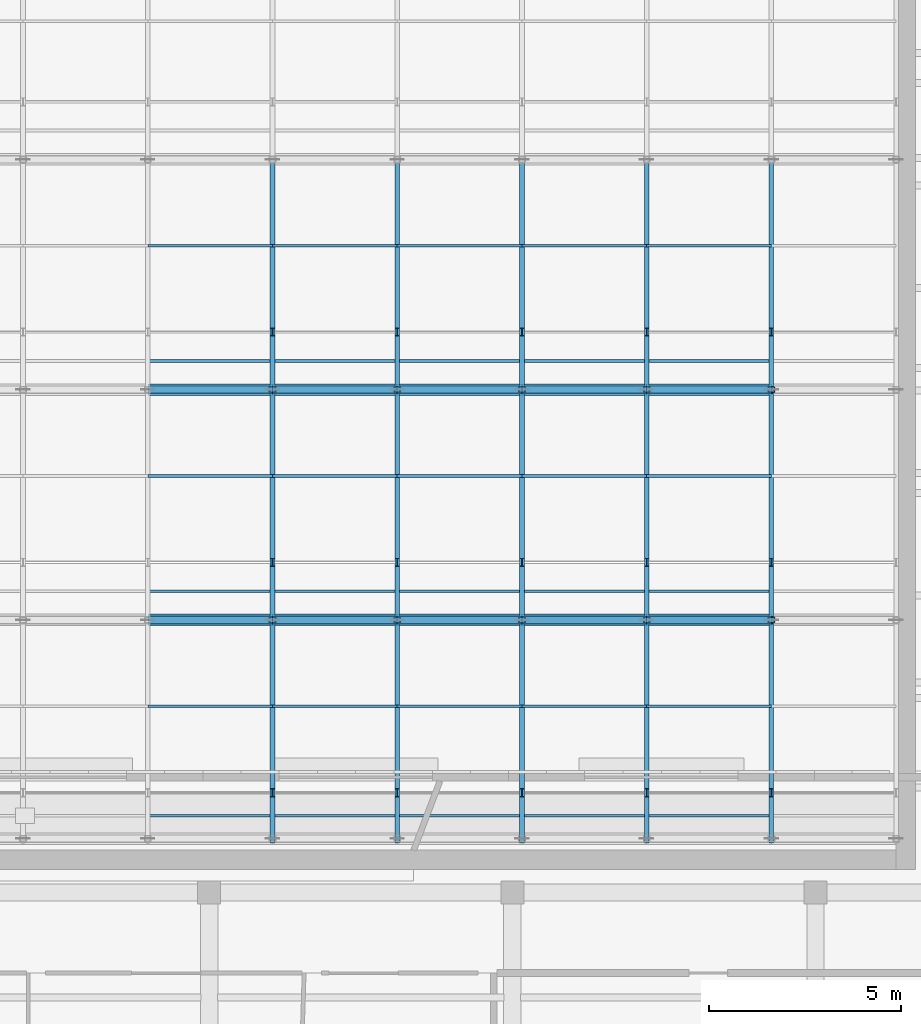
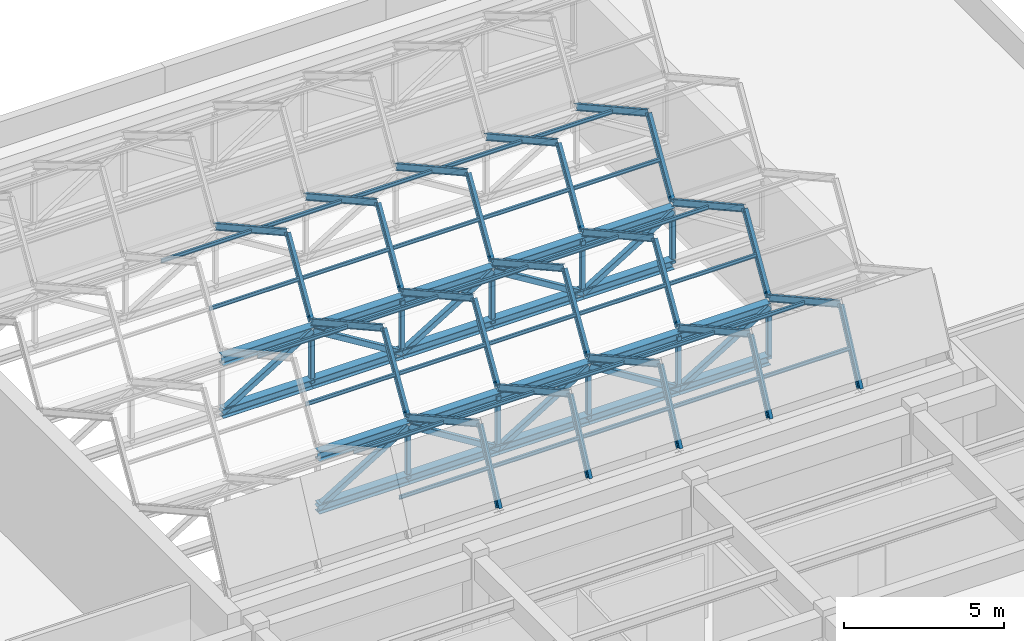
# One storey, part 52 of 132: 100 members.
"""IFC4 building model written with IfcOpenShell, lengths in metres."""

from ifc_helpers import new_model, si_unit, direction, frame, origin, origin_2d, place, context, subcontext, project, spatial, hollow_rectangle, i_section, extrude, material, material_profile, profile_set, type_object, element, save


model = new_model("IFC4")

# Units and contexts
model_context = context("Model", 3, precision=1e-05, world=origin(), true_north=direction((0.0, 1.0)))
body_context = subcontext(model_context, "Body", "Model", "MODEL_VIEW")
ifc_project = project(units=[si_unit("LENGTHUNIT", "METRE"), si_unit("AREAUNIT", "SQUARE_METRE"), si_unit("VOLUMEUNIT", "CUBIC_METRE"), si_unit("PLANEANGLEUNIT", "RADIAN"), si_unit("MASSUNIT", "GRAM", prefix="KILO")], contexts=[model_context])

# Site, building, storey
site_placement = place(None, origin())
site = spatial("IfcSite", under=ifc_project, at=site_placement, CompositionType="ELEMENT")
building_placement = place(site_placement, origin())
building = spatial("IfcBuilding", under=site, at=building_placement, Name="Lunette Opera House", CompositionType="ELEMENT")
storey_placement = place(building_placement, frame((0.0, 0.0, 17.0)))
storey = spatial("IfcBuildingStorey", under=building, at=storey_placement, Name="L03", CompositionType="ELEMENT", Elevation=17.0)

# Members
ifc_material_1 = material(Name="Steel S355", Category="steel")
ifc_material_profile_1 = material_profile(ifc_material_1, i_section(OverallWidth=0.300048828125, OverallDepth=0.35009765625, WebThickness=0.010009765625, FlangeThickness=0.017578125, FilletRadius=0.027099609375, at=origin_2d()), Name="HEA 360")
ifc_profile_set_1 = profile_set([ifc_material_profile_1], Name="Steel S355")
member_type_1 = type_object("IfcMemberType", Name="CHORD HEA 360", PredefinedType="CHORD", material=ifc_profile_set_1)
for number, where, z_axis, x_axis, name in (
    (1, (150.5, 110.0, 5.205078125), (1.0, 0.0, 0.0), (0.0, 1.0, 0.0), "mem-WW-L03-WW-TR02-TC3"),
    (2, (150.5, 110.0, 3.205078125), (1.0, 0.0, 0.0), (0.0, 1.0, 0.0), "mem-WW-L03-WW-TR02-BC3"),
    (3, (153.75, 110.0, 5.205078125), (1.0, 0.0, 0.0), (0.0, 1.0, 0.0), "mem-WW-L03-WW-TR02-TC4"),
    (4, (153.75, 110.0, 3.205078125), (1.0, 0.0, 0.0), (0.0, 1.0, 0.0), "mem-WW-L03-WW-TR02-BC4"),
    (5, (157.0, 110.0, 5.205078125), (1.0, 0.0, 0.0), (0.0, 1.0, 0.0), "mem-WW-L03-WW-TR02-TC5"),
    (6, (157.0, 110.0, 3.205078125), (1.0, 0.0, 0.0), (0.0, 1.0, 0.0), "mem-WW-L03-WW-TR02-BC5"),
    (7, (160.25, 110.0, 5.205078125), (1.0, 0.0, 0.0), (0.0, 1.0, 0.0), "mem-WW-L03-WW-TR02-TC6"),
    (8, (160.25, 110.0, 3.205078125), (1.0, 0.0, 0.0), (0.0, 1.0, 0.0), "mem-WW-L03-WW-TR02-BC6"),
    (9, (163.5, 110.0, 5.205078125), (1.0, 0.0, 0.0), (0.0, 1.0, 0.0), "mem-WW-L03-WW-TR02-TC7"),
    (10, (163.5, 110.0, 3.205078125), (1.0, 0.0, 0.0), (0.0, 1.0, 0.0), "mem-WW-L03-WW-TR02-BC7"),
    (11, (150.5, 116.0, 5.205078125), (1.0, 0.0, 0.0), (0.0, 1.0, 0.0), "mem-WW-L03-WW-TR03-TC3"),
    (12, (150.5, 116.0, 3.205078125), (1.0, 0.0, 0.0), (0.0, 1.0, 0.0), "mem-WW-L03-WW-TR03-BC3"),
    (13, (153.75, 116.0, 5.205078125), (1.0, 0.0, 0.0), (0.0, 1.0, 0.0), "mem-WW-L03-WW-TR03-TC4"),
    (14, (153.75, 116.0, 3.205078125), (1.0, 0.0, 0.0), (0.0, 1.0, 0.0), "mem-WW-L03-WW-TR03-BC4"),
    (15, (157.0, 116.0, 5.205078125), (1.0, 0.0, 0.0), (0.0, 1.0, 0.0), "mem-WW-L03-WW-TR03-TC5"),
    (16, (157.0, 116.0, 3.205078125), (1.0, 0.0, 0.0), (0.0, 1.0, 0.0), "mem-WW-L03-WW-TR03-BC5"),
    (17, (160.25, 116.0, 5.205078125), (1.0, 0.0, 0.0), (0.0, 1.0, 0.0), "mem-WW-L03-WW-TR03-TC6"),
    (18, (160.25, 116.0, 3.205078125), (1.0, 0.0, 0.0), (0.0, 1.0, 0.0), "mem-WW-L03-WW-TR03-BC6"),
    (19, (163.5, 116.0, 5.205078125), (1.0, 0.0, 0.0), (0.0, 1.0, 0.0), "mem-WW-L03-WW-TR03-TC7"),
    (20, (163.5, 116.0, 3.205078125), (1.0, 0.0, 0.0), (0.0, 1.0, 0.0), "mem-WW-L03-WW-TR03-BC7"),
):
    element("IfcMember", number, at=place(storey_placement, frame(where, z_axis=z_axis, x_axis=x_axis)), inside=storey, type_object=member_type_1, Name=name, PredefinedType="CHORD", context=body_context, shape_type="SweptSolid", body=[
        extrude(i_section(OverallWidth=0.300048828125, OverallDepth=0.35009765625, WebThickness=0.010009765625, FlangeThickness=0.017578125, FilletRadius=0.027099609375, at=origin_2d()), origin(), (0.0, 0.0, 1.0), 3.25),
    ])
ifc_material_2 = material(Name="Steel S355", Category="steel")
ifc_material_profile_2 = material_profile(ifc_material_2, hollow_rectangle(XDim=0.199951171875, YDim=0.199951171875, WallThickness=0.008056640625, InnerFilletRadius=0.008056640625, OuterFilletRadius=0.01611328125, at=origin_2d()), Name="RHS 200X200X8")
ifc_profile_set_2 = profile_set([ifc_material_profile_2], Name="Steel S355")
member_type_2 = type_object("IfcMemberType", Name="DIAGONAL RHS 200X200X8", PredefinedType="BRACE", material=ifc_profile_set_2)
for number, where, z_axis, x_axis, name in (
    (21, (150.5, 110.0, 3.205078125), (0.851658316705, 0.0, 0.524097425664), (0.0, 1.0, 0.0), "mem-WW-L03-WW-TR02-TD3"),
    (22, (153.75, 110.0, 5.205078125), (0.851658316705, 0.0, -0.524097425664), (0.0, 1.0, 0.0), "mem-WW-L03-WW-TR02-TD4"),
    (23, (157.0, 110.0, 3.205078125), (0.851658316705, 0.0, 0.524097425664), (0.0, 1.0, 0.0), "mem-WW-L03-WW-TR02-TD5"),
    (24, (160.25, 110.0, 5.205078125), (0.851658316705, 0.0, -0.524097425664), (0.0, 1.0, 0.0), "mem-WW-L03-WW-TR02-TD6"),
    (25, (163.5, 110.0, 3.205078125), (0.851658316705, 0.0, 0.524097425664), (0.0, 1.0, 0.0), "mem-WW-L03-WW-TR02-TD7"),
    (26, (150.5, 116.0, 3.205078125), (0.851658316705, 0.0, 0.524097425664), (0.0, 1.0, 0.0), "mem-WW-L03-WW-TR03-TD3"),
    (27, (153.75, 116.0, 5.205078125), (0.851658316705, 0.0, -0.524097425664), (0.0, 1.0, 0.0), "mem-WW-L03-WW-TR03-TD4"),
    (28, (157.0, 116.0, 3.205078125), (0.851658316705, 0.0, 0.524097425664), (0.0, 1.0, 0.0), "mem-WW-L03-WW-TR03-TD5"),
    (29, (160.25, 116.0, 5.205078125), (0.851658316705, 0.0, -0.524097425664), (0.0, 1.0, 0.0), "mem-WW-L03-WW-TR03-TD6"),
    (30, (163.5, 116.0, 3.205078125), (0.851658316705, 0.0, 0.524097425664), (0.0, 1.0, 0.0), "mem-WW-L03-WW-TR03-TD7"),
):
    element("IfcMember", number, at=place(storey_placement, frame(where, z_axis=z_axis, x_axis=x_axis)), inside=storey, type_object=member_type_2, Name=name, PredefinedType="BRACE", context=body_context, shape_type="SweptSolid", body=[
        extrude(hollow_rectangle(XDim=0.199951171875, YDim=0.199951171875, WallThickness=0.008056640625, InnerFilletRadius=0.008056640625, OuterFilletRadius=0.01611328125, at=origin_2d()), origin(), (0.0, 0.0, 1.0), 3.816162109375),
    ])
ifc_material_3 = material(Name="Steel S355", Category="steel")
ifc_material_profile_3 = material_profile(ifc_material_3, i_section(OverallWidth=0.072998046875, OverallDepth=0.139892578125, WebThickness=0.004638671875, FlangeThickness=0.0068359375, FilletRadius=0.007080078125, at=origin_2d()), Name="IPE 140")
ifc_profile_set_3 = profile_set([ifc_material_profile_3], Name="Steel S355")
member_type_3 = type_object("IfcMemberType", Name="PURLIN IPE 140", PredefinedType="PURLIN", material=ifc_profile_set_3)
for number, where, z_axis, x_axis, name in (
    (31, (150.5, 104.89990234375, 6.679931640625), (1.0, 0.0, 0.0), (0.0, 1.0, 0.0), "mem-WW-L03-WW-PN1-3A"),
    (32, (150.5, 107.75, 6.679931640625), (1.0, 0.0, 0.0), (0.0, 1.0, 0.0), "mem-WW-L03-WW-PN1-3B"),
    (33, (153.75, 104.89990234375, 6.679931640625), (1.0, 0.0, 0.0), (0.0, 1.0, 0.0), "mem-WW-L03-WW-PN1-4A"),
    (34, (153.75, 107.75, 6.679931640625), (1.0, 0.0, 0.0), (0.0, 1.0, 0.0), "mem-WW-L03-WW-PN1-4B"),
    (35, (157.0, 104.89990234375, 6.679931640625), (1.0, 0.0, 0.0), (0.0, 1.0, 0.0), "mem-WW-L03-WW-PN1-5A"),
    (36, (157.0, 107.75, 6.679931640625), (1.0, 0.0, 0.0), (0.0, 1.0, 0.0), "mem-WW-L03-WW-PN1-5B"),
    (37, (160.25, 104.89990234375, 6.679931640625), (1.0, 0.0, 0.0), (0.0, 1.0, 0.0), "mem-WW-L03-WW-PN1-6A"),
    (38, (160.25, 107.75, 6.679931640625), (1.0, 0.0, 0.0), (0.0, 1.0, 0.0), "mem-WW-L03-WW-PN1-6B"),
    (39, (163.5, 104.89990234375, 6.679931640625), (1.0, 0.0, 0.0), (0.0, 1.0, 0.0), "mem-WW-L03-WW-PN1-7A"),
    (40, (163.5, 107.75, 6.679931640625), (1.0, 0.0, 0.0), (0.0, 1.0, 0.0), "mem-WW-L03-WW-PN1-7B"),
    (41, (150.5, 110.75, 6.679931640625), (1.0, 0.0, 0.0), (0.0, 1.0, 0.0), "mem-WW-L03-WW-PN2-3A"),
    (42, (150.5, 113.75, 6.679931640625), (1.0, 0.0, 0.0), (0.0, 1.0, 0.0), "mem-WW-L03-WW-PN2-3B"),
    (43, (153.75, 110.75, 6.679931640625), (1.0, 0.0, 0.0), (0.0, 1.0, 0.0), "mem-WW-L03-WW-PN2-4A"),
    (44, (153.75, 113.75, 6.679931640625), (1.0, 0.0, 0.0), (0.0, 1.0, 0.0), "mem-WW-L03-WW-PN2-4B"),
    (45, (157.0, 110.75, 6.679931640625), (1.0, 0.0, 0.0), (0.0, 1.0, 0.0), "mem-WW-L03-WW-PN2-5A"),
    (46, (157.0, 113.75, 6.679931640625), (1.0, 0.0, 0.0), (0.0, 1.0, 0.0), "mem-WW-L03-WW-PN2-5B"),
    (47, (160.25, 110.75, 6.679931640625), (1.0, 0.0, 0.0), (0.0, 1.0, 0.0), "mem-WW-L03-WW-PN2-6A"),
    (48, (160.25, 113.75, 6.679931640625), (1.0, 0.0, 0.0), (0.0, 1.0, 0.0), "mem-WW-L03-WW-PN2-6B"),
    (49, (163.5, 110.75, 6.679931640625), (1.0, 0.0, 0.0), (0.0, 1.0, 0.0), "mem-WW-L03-WW-PN2-7A"),
    (50, (163.5, 113.75, 6.679931640625), (1.0, 0.0, 0.0), (0.0, 1.0, 0.0), "mem-WW-L03-WW-PN2-7B"),
    (51, (150.5, 116.75, 6.679931640625), (1.0, 0.0, 0.0), (0.0, 1.0, 0.0), "mem-WW-L03-WW-PN3-3A"),
    (52, (150.5, 119.75, 6.679931640625), (1.0, 0.0, 0.0), (0.0, 1.0, 0.0), "mem-WW-L03-WW-PN3-3B"),
    (53, (153.75, 116.75, 6.679931640625), (1.0, 0.0, 0.0), (0.0, 1.0, 0.0), "mem-WW-L03-WW-PN3-4A"),
    (54, (153.75, 119.75, 6.679931640625), (1.0, 0.0, 0.0), (0.0, 1.0, 0.0), "mem-WW-L03-WW-PN3-4B"),
    (55, (157.0, 116.75, 6.679931640625), (1.0, 0.0, 0.0), (0.0, 1.0, 0.0), "mem-WW-L03-WW-PN3-5A"),
    (56, (157.0, 119.75, 6.679931640625), (1.0, 0.0, 0.0), (0.0, 1.0, 0.0), "mem-WW-L03-WW-PN3-5B"),
    (57, (160.25, 116.75, 6.679931640625), (1.0, 0.0, 0.0), (0.0, 1.0, 0.0), "mem-WW-L03-WW-PN3-6A"),
    (58, (160.25, 119.75, 6.679931640625), (1.0, 0.0, 0.0), (0.0, 1.0, 0.0), "mem-WW-L03-WW-PN3-6B"),
    (59, (163.5, 116.75, 6.679931640625), (1.0, 0.0, 0.0), (0.0, 1.0, 0.0), "mem-WW-L03-WW-PN3-7A"),
    (60, (163.5, 119.75, 6.679931640625), (1.0, 0.0, 0.0), (0.0, 1.0, 0.0), "mem-WW-L03-WW-PN3-7B"),
):
    element("IfcMember", number, at=place(storey_placement, frame(where, z_axis=z_axis, x_axis=x_axis)), inside=storey, type_object=member_type_3, Name=name, PredefinedType="PURLIN", context=body_context, shape_type="SweptSolid", body=[
        extrude(i_section(OverallWidth=0.072998046875, OverallDepth=0.139892578125, WebThickness=0.004638671875, FlangeThickness=0.0068359375, FilletRadius=0.007080078125, at=origin_2d()), origin(), (0.0, 0.0, 1.0), 3.25),
    ])
ifc_material_4 = material(Name="Steel S355", Category="steel")
ifc_material_profile_4 = material_profile(ifc_material_4, i_section(OverallWidth=0.1201171875, OverallDepth=0.239990234375, WebThickness=0.006103515625, FlangeThickness=0.009765625, FilletRadius=0.014892578125, at=origin_2d()), Name="IPE 240")
ifc_profile_set_4 = profile_set([ifc_material_profile_4], Name="Steel S355")
member_type_4 = type_object("IfcMemberType", Name="RAFTER IPE 240", PredefinedType="RAFTER", material=ifc_profile_set_4)
member_1_placement = place(storey_placement, frame((153.75, 104.300048828125, 5.5), z_axis=(0.0, 0.432716756732, 0.901529926538), x_axis=(-1.0, 0.0, 0.0)))
element("IfcMember", 61, at=member_1_placement, inside=storey, type_object=member_type_4, Name="mem-WW-L03-WW-RF1-4A", PredefinedType="RAFTER", context=body_context, shape_type="SweptSolid", body=[
    extrude(i_section(OverallWidth=0.1201171875, OverallDepth=0.239990234375, WebThickness=0.006103515625, FlangeThickness=0.009765625, FilletRadius=0.014892578125, at=origin_2d()), origin(), (0.0, 0.0, 1.0), 2.77294921875),
])
member_2_placement = place(storey_placement, frame((153.75, 105.5, 8.0), z_axis=(0.0, 0.874157276122, -0.485642931179), x_axis=(-1.0, 0.0, 0.0)))
element("IfcMember", 62, at=member_2_placement, inside=storey, type_object=member_type_4, Name="mem-WW-L03-WW-RF1-4B", PredefinedType="RAFTER", context=body_context, shape_type="SweptSolid", body=[
    extrude(i_section(OverallWidth=0.1201171875, OverallDepth=0.239990234375, WebThickness=0.006103515625, FlangeThickness=0.009765625, FilletRadius=0.014892578125, at=origin_2d()), origin(), (0.0, 0.0, 1.0), 5.147705078125),
])
member_3_placement = place(storey_placement, frame((157.0, 104.300048828125, 5.5), z_axis=(0.0, 0.432716756732, 0.901529926538), x_axis=(-1.0, 0.0, 0.0)))
element("IfcMember", 63, at=member_3_placement, inside=storey, type_object=member_type_4, Name="mem-WW-L03-WW-RF1-5A", PredefinedType="RAFTER", context=body_context, shape_type="SweptSolid", body=[
    extrude(i_section(OverallWidth=0.1201171875, OverallDepth=0.239990234375, WebThickness=0.006103515625, FlangeThickness=0.009765625, FilletRadius=0.014892578125, at=origin_2d()), origin(), (0.0, 0.0, 1.0), 2.77294921875),
])
member_4_placement = place(storey_placement, frame((157.0, 105.5, 8.0), z_axis=(0.0, 0.874157276122, -0.485642931179), x_axis=(-1.0, 0.0, 0.0)))
element("IfcMember", 64, at=member_4_placement, inside=storey, type_object=member_type_4, Name="mem-WW-L03-WW-RF1-5B", PredefinedType="RAFTER", context=body_context, shape_type="SweptSolid", body=[
    extrude(i_section(OverallWidth=0.1201171875, OverallDepth=0.239990234375, WebThickness=0.006103515625, FlangeThickness=0.009765625, FilletRadius=0.014892578125, at=origin_2d()), origin(), (0.0, 0.0, 1.0), 5.147705078125),
])
member_5_placement = place(storey_placement, frame((160.25, 104.300048828125, 5.5), z_axis=(0.0, 0.432716756732, 0.901529926538), x_axis=(-1.0, 0.0, 0.0)))
element("IfcMember", 65, at=member_5_placement, inside=storey, type_object=member_type_4, Name="mem-WW-L03-WW-RF1-6A", PredefinedType="RAFTER", context=body_context, shape_type="SweptSolid", body=[
    extrude(i_section(OverallWidth=0.1201171875, OverallDepth=0.239990234375, WebThickness=0.006103515625, FlangeThickness=0.009765625, FilletRadius=0.014892578125, at=origin_2d()), origin(), (0.0, 0.0, 1.0), 2.77294921875),
])
member_6_placement = place(storey_placement, frame((160.25, 105.5, 8.0), z_axis=(0.0, 0.874157276122, -0.485642931179), x_axis=(-1.0, 0.0, 0.0)))
element("IfcMember", 66, at=member_6_placement, inside=storey, type_object=member_type_4, Name="mem-WW-L03-WW-RF1-6B", PredefinedType="RAFTER", context=body_context, shape_type="SweptSolid", body=[
    extrude(i_section(OverallWidth=0.1201171875, OverallDepth=0.239990234375, WebThickness=0.006103515625, FlangeThickness=0.009765625, FilletRadius=0.014892578125, at=origin_2d()), origin(), (0.0, 0.0, 1.0), 5.147705078125),
])
member_7_placement = place(storey_placement, frame((163.5, 104.300048828125, 5.5), z_axis=(0.0, 0.432716756732, 0.901529926538), x_axis=(-1.0, 0.0, 0.0)))
element("IfcMember", 67, at=member_7_placement, inside=storey, type_object=member_type_4, Name="mem-WW-L03-WW-RF1-7A", PredefinedType="RAFTER", context=body_context, shape_type="SweptSolid", body=[
    extrude(i_section(OverallWidth=0.1201171875, OverallDepth=0.239990234375, WebThickness=0.006103515625, FlangeThickness=0.009765625, FilletRadius=0.014892578125, at=origin_2d()), origin(), (0.0, 0.0, 1.0), 2.77294921875),
])
member_8_placement = place(storey_placement, frame((163.5, 105.5, 8.0), z_axis=(0.0, 0.874157276122, -0.485642931179), x_axis=(-1.0, 0.0, 0.0)))
element("IfcMember", 68, at=member_8_placement, inside=storey, type_object=member_type_4, Name="mem-WW-L03-WW-RF1-7B", PredefinedType="RAFTER", context=body_context, shape_type="SweptSolid", body=[
    extrude(i_section(OverallWidth=0.1201171875, OverallDepth=0.239990234375, WebThickness=0.006103515625, FlangeThickness=0.009765625, FilletRadius=0.014892578125, at=origin_2d()), origin(), (0.0, 0.0, 1.0), 5.147705078125),
])
member_9_placement = place(storey_placement, frame((166.75, 104.300048828125, 5.5), z_axis=(0.0, 0.432716756732, 0.901529926538), x_axis=(-1.0, 0.0, 0.0)))
element("IfcMember", 69, at=member_9_placement, inside=storey, type_object=member_type_4, Name="mem-WW-L03-WW-RF1-8A", PredefinedType="RAFTER", context=body_context, shape_type="SweptSolid", body=[
    extrude(i_section(OverallWidth=0.1201171875, OverallDepth=0.239990234375, WebThickness=0.006103515625, FlangeThickness=0.009765625, FilletRadius=0.014892578125, at=origin_2d()), origin(), (0.0, 0.0, 1.0), 2.77294921875),
])
member_10_placement = place(storey_placement, frame((166.75, 105.5, 8.0), z_axis=(0.0, 0.874157276122, -0.485642931179), x_axis=(-1.0, 0.0, 0.0)))
element("IfcMember", 70, at=member_10_placement, inside=storey, type_object=member_type_4, Name="mem-WW-L03-WW-RF1-8B", PredefinedType="RAFTER", context=body_context, shape_type="SweptSolid", body=[
    extrude(i_section(OverallWidth=0.1201171875, OverallDepth=0.239990234375, WebThickness=0.006103515625, FlangeThickness=0.009765625, FilletRadius=0.014892578125, at=origin_2d()), origin(), (0.0, 0.0, 1.0), 5.147705078125),
])
member_11_placement = place(storey_placement, frame((153.75, 110.0, 5.5), z_axis=(0.0, 0.514495755428, 0.857492925713), x_axis=(-1.0, 0.0, 0.0)))
element("IfcMember", 71, at=member_11_placement, inside=storey, type_object=member_type_4, Name="mem-WW-L03-WW-RF2-4A", PredefinedType="RAFTER", context=body_context, shape_type="SweptSolid", body=[
    extrude(i_section(OverallWidth=0.1201171875, OverallDepth=0.239990234375, WebThickness=0.006103515625, FlangeThickness=0.009765625, FilletRadius=0.014892578125, at=origin_2d()), origin(), (0.0, 0.0, 1.0), 2.91552734375),
])
member_12_placement = place(storey_placement, frame((153.75, 111.5, 8.0), z_axis=(0.0, 0.874157276122, -0.485642931179), x_axis=(-1.0, 0.0, 0.0)))
element("IfcMember", 72, at=member_12_placement, inside=storey, type_object=member_type_4, Name="mem-WW-L03-WW-RF2-4B", PredefinedType="RAFTER", context=body_context, shape_type="SweptSolid", body=[
    extrude(i_section(OverallWidth=0.1201171875, OverallDepth=0.239990234375, WebThickness=0.006103515625, FlangeThickness=0.009765625, FilletRadius=0.014892578125, at=origin_2d()), origin(), (0.0, 0.0, 1.0), 5.147705078125),
])
member_13_placement = place(storey_placement, frame((157.0, 110.0, 5.5), z_axis=(0.0, 0.514495755428, 0.857492925713), x_axis=(-1.0, 0.0, 0.0)))
element("IfcMember", 73, at=member_13_placement, inside=storey, type_object=member_type_4, Name="mem-WW-L03-WW-RF2-5A", PredefinedType="RAFTER", context=body_context, shape_type="SweptSolid", body=[
    extrude(i_section(OverallWidth=0.1201171875, OverallDepth=0.239990234375, WebThickness=0.006103515625, FlangeThickness=0.009765625, FilletRadius=0.014892578125, at=origin_2d()), origin(), (0.0, 0.0, 1.0), 2.91552734375),
])
member_14_placement = place(storey_placement, frame((157.0, 111.5, 8.0), z_axis=(0.0, 0.874157276122, -0.485642931179), x_axis=(-1.0, 0.0, 0.0)))
element("IfcMember", 74, at=member_14_placement, inside=storey, type_object=member_type_4, Name="mem-WW-L03-WW-RF2-5B", PredefinedType="RAFTER", context=body_context, shape_type="SweptSolid", body=[
    extrude(i_section(OverallWidth=0.1201171875, OverallDepth=0.239990234375, WebThickness=0.006103515625, FlangeThickness=0.009765625, FilletRadius=0.014892578125, at=origin_2d()), origin(), (0.0, 0.0, 1.0), 5.147705078125),
])
member_15_placement = place(storey_placement, frame((160.25, 110.0, 5.5), z_axis=(0.0, 0.514495755428, 0.857492925713), x_axis=(-1.0, 0.0, 0.0)))
element("IfcMember", 75, at=member_15_placement, inside=storey, type_object=member_type_4, Name="mem-WW-L03-WW-RF2-6A", PredefinedType="RAFTER", context=body_context, shape_type="SweptSolid", body=[
    extrude(i_section(OverallWidth=0.1201171875, OverallDepth=0.239990234375, WebThickness=0.006103515625, FlangeThickness=0.009765625, FilletRadius=0.014892578125, at=origin_2d()), origin(), (0.0, 0.0, 1.0), 2.91552734375),
])
member_16_placement = place(storey_placement, frame((160.25, 111.5, 8.0), z_axis=(0.0, 0.874157276122, -0.485642931179), x_axis=(-1.0, 0.0, 0.0)))
element("IfcMember", 76, at=member_16_placement, inside=storey, type_object=member_type_4, Name="mem-WW-L03-WW-RF2-6B", PredefinedType="RAFTER", context=body_context, shape_type="SweptSolid", body=[
    extrude(i_section(OverallWidth=0.1201171875, OverallDepth=0.239990234375, WebThickness=0.006103515625, FlangeThickness=0.009765625, FilletRadius=0.014892578125, at=origin_2d()), origin(), (0.0, 0.0, 1.0), 5.147705078125),
])
member_17_placement = place(storey_placement, frame((163.5, 110.0, 5.5), z_axis=(0.0, 0.514495755428, 0.857492925713), x_axis=(-1.0, 0.0, 0.0)))
element("IfcMember", 77, at=member_17_placement, inside=storey, type_object=member_type_4, Name="mem-WW-L03-WW-RF2-7A", PredefinedType="RAFTER", context=body_context, shape_type="SweptSolid", body=[
    extrude(i_section(OverallWidth=0.1201171875, OverallDepth=0.239990234375, WebThickness=0.006103515625, FlangeThickness=0.009765625, FilletRadius=0.014892578125, at=origin_2d()), origin(), (0.0, 0.0, 1.0), 2.91552734375),
])
member_18_placement = place(storey_placement, frame((163.5, 111.5, 8.0), z_axis=(0.0, 0.874157276122, -0.485642931179), x_axis=(-1.0, 0.0, 0.0)))
element("IfcMember", 78, at=member_18_placement, inside=storey, type_object=member_type_4, Name="mem-WW-L03-WW-RF2-7B", PredefinedType="RAFTER", context=body_context, shape_type="SweptSolid", body=[
    extrude(i_section(OverallWidth=0.1201171875, OverallDepth=0.239990234375, WebThickness=0.006103515625, FlangeThickness=0.009765625, FilletRadius=0.014892578125, at=origin_2d()), origin(), (0.0, 0.0, 1.0), 5.147705078125),
])
member_19_placement = place(storey_placement, frame((166.75, 110.0, 5.5), z_axis=(0.0, 0.514495755428, 0.857492925713), x_axis=(-1.0, 0.0, 0.0)))
element("IfcMember", 79, at=member_19_placement, inside=storey, type_object=member_type_4, Name="mem-WW-L03-WW-RF2-8A", PredefinedType="RAFTER", context=body_context, shape_type="SweptSolid", body=[
    extrude(i_section(OverallWidth=0.1201171875, OverallDepth=0.239990234375, WebThickness=0.006103515625, FlangeThickness=0.009765625, FilletRadius=0.014892578125, at=origin_2d()), origin(), (0.0, 0.0, 1.0), 2.91552734375),
])
member_20_placement = place(storey_placement, frame((166.75, 111.5, 8.0), z_axis=(0.0, 0.874157276122, -0.485642931179), x_axis=(-1.0, 0.0, 0.0)))
element("IfcMember", 80, at=member_20_placement, inside=storey, type_object=member_type_4, Name="mem-WW-L03-WW-RF2-8B", PredefinedType="RAFTER", context=body_context, shape_type="SweptSolid", body=[
    extrude(i_section(OverallWidth=0.1201171875, OverallDepth=0.239990234375, WebThickness=0.006103515625, FlangeThickness=0.009765625, FilletRadius=0.014892578125, at=origin_2d()), origin(), (0.0, 0.0, 1.0), 5.147705078125),
])
member_21_placement = place(storey_placement, frame((153.75, 116.0, 5.5), z_axis=(0.0, 0.514495755428, 0.857492925713), x_axis=(-1.0, 0.0, 0.0)))
element("IfcMember", 81, at=member_21_placement, inside=storey, type_object=member_type_4, Name="mem-WW-L03-WW-RF3-4A", PredefinedType="RAFTER", context=body_context, shape_type="SweptSolid", body=[
    extrude(i_section(OverallWidth=0.1201171875, OverallDepth=0.239990234375, WebThickness=0.006103515625, FlangeThickness=0.009765625, FilletRadius=0.014892578125, at=origin_2d()), origin(), (0.0, 0.0, 1.0), 2.91552734375),
])
member_22_placement = place(storey_placement, frame((153.75, 117.5, 8.0), z_axis=(0.0, 0.874157276122, -0.485642931179), x_axis=(-1.0, 0.0, 0.0)))
element("IfcMember", 82, at=member_22_placement, inside=storey, type_object=member_type_4, Name="mem-WW-L03-WW-RF3-4B", PredefinedType="RAFTER", context=body_context, shape_type="SweptSolid", body=[
    extrude(i_section(OverallWidth=0.1201171875, OverallDepth=0.239990234375, WebThickness=0.006103515625, FlangeThickness=0.009765625, FilletRadius=0.014892578125, at=origin_2d()), origin(), (0.0, 0.0, 1.0), 5.147705078125),
])
member_23_placement = place(storey_placement, frame((157.0, 116.0, 5.5), z_axis=(0.0, 0.514495755428, 0.857492925713), x_axis=(-1.0, 0.0, 0.0)))
element("IfcMember", 83, at=member_23_placement, inside=storey, type_object=member_type_4, Name="mem-WW-L03-WW-RF3-5A", PredefinedType="RAFTER", context=body_context, shape_type="SweptSolid", body=[
    extrude(i_section(OverallWidth=0.1201171875, OverallDepth=0.239990234375, WebThickness=0.006103515625, FlangeThickness=0.009765625, FilletRadius=0.014892578125, at=origin_2d()), origin(), (0.0, 0.0, 1.0), 2.91552734375),
])
member_24_placement = place(storey_placement, frame((157.0, 117.5, 8.0), z_axis=(0.0, 0.874157276122, -0.485642931179), x_axis=(-1.0, 0.0, 0.0)))
element("IfcMember", 84, at=member_24_placement, inside=storey, type_object=member_type_4, Name="mem-WW-L03-WW-RF3-5B", PredefinedType="RAFTER", context=body_context, shape_type="SweptSolid", body=[
    extrude(i_section(OverallWidth=0.1201171875, OverallDepth=0.239990234375, WebThickness=0.006103515625, FlangeThickness=0.009765625, FilletRadius=0.014892578125, at=origin_2d()), origin(), (0.0, 0.0, 1.0), 5.147705078125),
])
member_25_placement = place(storey_placement, frame((160.25, 116.0, 5.5), z_axis=(0.0, 0.514495755428, 0.857492925713), x_axis=(-1.0, 0.0, 0.0)))
element("IfcMember", 85, at=member_25_placement, inside=storey, type_object=member_type_4, Name="mem-WW-L03-WW-RF3-6A", PredefinedType="RAFTER", context=body_context, shape_type="SweptSolid", body=[
    extrude(i_section(OverallWidth=0.1201171875, OverallDepth=0.239990234375, WebThickness=0.006103515625, FlangeThickness=0.009765625, FilletRadius=0.014892578125, at=origin_2d()), origin(), (0.0, 0.0, 1.0), 2.91552734375),
])
member_26_placement = place(storey_placement, frame((160.25, 117.5, 8.0), z_axis=(0.0, 0.874157276122, -0.485642931179), x_axis=(-1.0, 0.0, 0.0)))
element("IfcMember", 86, at=member_26_placement, inside=storey, type_object=member_type_4, Name="mem-WW-L03-WW-RF3-6B", PredefinedType="RAFTER", context=body_context, shape_type="SweptSolid", body=[
    extrude(i_section(OverallWidth=0.1201171875, OverallDepth=0.239990234375, WebThickness=0.006103515625, FlangeThickness=0.009765625, FilletRadius=0.014892578125, at=origin_2d()), origin(), (0.0, 0.0, 1.0), 5.147705078125),
])
member_27_placement = place(storey_placement, frame((163.5, 116.0, 5.5), z_axis=(0.0, 0.514495755428, 0.857492925713), x_axis=(-1.0, 0.0, 0.0)))
element("IfcMember", 87, at=member_27_placement, inside=storey, type_object=member_type_4, Name="mem-WW-L03-WW-RF3-7A", PredefinedType="RAFTER", context=body_context, shape_type="SweptSolid", body=[
    extrude(i_section(OverallWidth=0.1201171875, OverallDepth=0.239990234375, WebThickness=0.006103515625, FlangeThickness=0.009765625, FilletRadius=0.014892578125, at=origin_2d()), origin(), (0.0, 0.0, 1.0), 2.91552734375),
])
member_28_placement = place(storey_placement, frame((163.5, 117.5, 8.0), z_axis=(0.0, 0.874157276122, -0.485642931179), x_axis=(-1.0, 0.0, 0.0)))
element("IfcMember", 88, at=member_28_placement, inside=storey, type_object=member_type_4, Name="mem-WW-L03-WW-RF3-7B", PredefinedType="RAFTER", context=body_context, shape_type="SweptSolid", body=[
    extrude(i_section(OverallWidth=0.1201171875, OverallDepth=0.239990234375, WebThickness=0.006103515625, FlangeThickness=0.009765625, FilletRadius=0.014892578125, at=origin_2d()), origin(), (0.0, 0.0, 1.0), 5.147705078125),
])
member_29_placement = place(storey_placement, frame((166.75, 116.0, 5.5), z_axis=(0.0, 0.514495755428, 0.857492925713), x_axis=(-1.0, 0.0, 0.0)))
element("IfcMember", 89, at=member_29_placement, inside=storey, type_object=member_type_4, Name="mem-WW-L03-WW-RF3-8A", PredefinedType="RAFTER", context=body_context, shape_type="SweptSolid", body=[
    extrude(i_section(OverallWidth=0.1201171875, OverallDepth=0.239990234375, WebThickness=0.006103515625, FlangeThickness=0.009765625, FilletRadius=0.014892578125, at=origin_2d()), origin(), (0.0, 0.0, 1.0), 2.91552734375),
])
member_30_placement = place(storey_placement, frame((166.75, 117.5, 8.0), z_axis=(0.0, 0.874157276122, -0.485642931179), x_axis=(-1.0, 0.0, 0.0)))
element("IfcMember", 90, at=member_30_placement, inside=storey, type_object=member_type_4, Name="mem-WW-L03-WW-RF3-8B", PredefinedType="RAFTER", context=body_context, shape_type="SweptSolid", body=[
    extrude(i_section(OverallWidth=0.1201171875, OverallDepth=0.239990234375, WebThickness=0.006103515625, FlangeThickness=0.009765625, FilletRadius=0.014892578125, at=origin_2d()), origin(), (0.0, 0.0, 1.0), 5.147705078125),
])
ifc_material_5 = material(Name="Steel S355", Category="steel")
ifc_material_profile_5 = material_profile(ifc_material_5, hollow_rectangle(XDim=0.159912109375, YDim=0.159912109375, WallThickness=0.008056640625, InnerFilletRadius=0.008056640625, OuterFilletRadius=0.01611328125, at=origin_2d()), Name="RHS 160X160X8")
ifc_profile_set_5 = profile_set([ifc_material_profile_5], Name="Steel S355")
member_type_5 = type_object("IfcMemberType", Name="VERTICAL RHS 160X160X8", PredefinedType="POST", material=ifc_profile_set_5)
for number, where, z_axis, x_axis, name in (
    (91, (153.75, 110.0, 3.205078125), (0.0, 0.0, 1.0), (1.0, 0.0, 0.0), "mem-WW-L03-WW-TR02-TV4"),
    (92, (157.0, 110.0, 3.205078125), (0.0, 0.0, 1.0), (1.0, 0.0, 0.0), "mem-WW-L03-WW-TR02-TV5"),
    (93, (160.25, 110.0, 3.205078125), (0.0, 0.0, 1.0), (1.0, 0.0, 0.0), "mem-WW-L03-WW-TR02-TV6"),
    (94, (163.5, 110.0, 3.205078125), (0.0, 0.0, 1.0), (1.0, 0.0, 0.0), "mem-WW-L03-WW-TR02-TV7"),
    (95, (166.75, 110.0, 3.205078125), (0.0, 0.0, 1.0), (1.0, 0.0, 0.0), "mem-WW-L03-WW-TR02-TV8"),
    (96, (153.75, 116.0, 3.205078125), (0.0, 0.0, 1.0), (1.0, 0.0, 0.0), "mem-WW-L03-WW-TR03-TV4"),
    (97, (157.0, 116.0, 3.205078125), (0.0, 0.0, 1.0), (1.0, 0.0, 0.0), "mem-WW-L03-WW-TR03-TV5"),
    (98, (160.25, 116.0, 3.205078125), (0.0, 0.0, 1.0), (1.0, 0.0, 0.0), "mem-WW-L03-WW-TR03-TV6"),
    (99, (163.5, 116.0, 3.205078125), (0.0, 0.0, 1.0), (1.0, 0.0, 0.0), "mem-WW-L03-WW-TR03-TV7"),
    (100, (166.75, 116.0, 3.205078125), (0.0, 0.0, 1.0), (1.0, 0.0, 0.0), "mem-WW-L03-WW-TR03-TV8"),
):
    element("IfcMember", number, at=place(storey_placement, frame(where, z_axis=z_axis, x_axis=x_axis)), inside=storey, type_object=member_type_5, Name=name, PredefinedType="POST", context=body_context, shape_type="SweptSolid", body=[
        extrude(hollow_rectangle(XDim=0.159912109375, YDim=0.159912109375, WallThickness=0.008056640625, InnerFilletRadius=0.008056640625, OuterFilletRadius=0.01611328125, at=origin_2d()), origin(), (0.0, 0.0, 1.0), 2.0),
    ])

save(model, "model.ifc")
